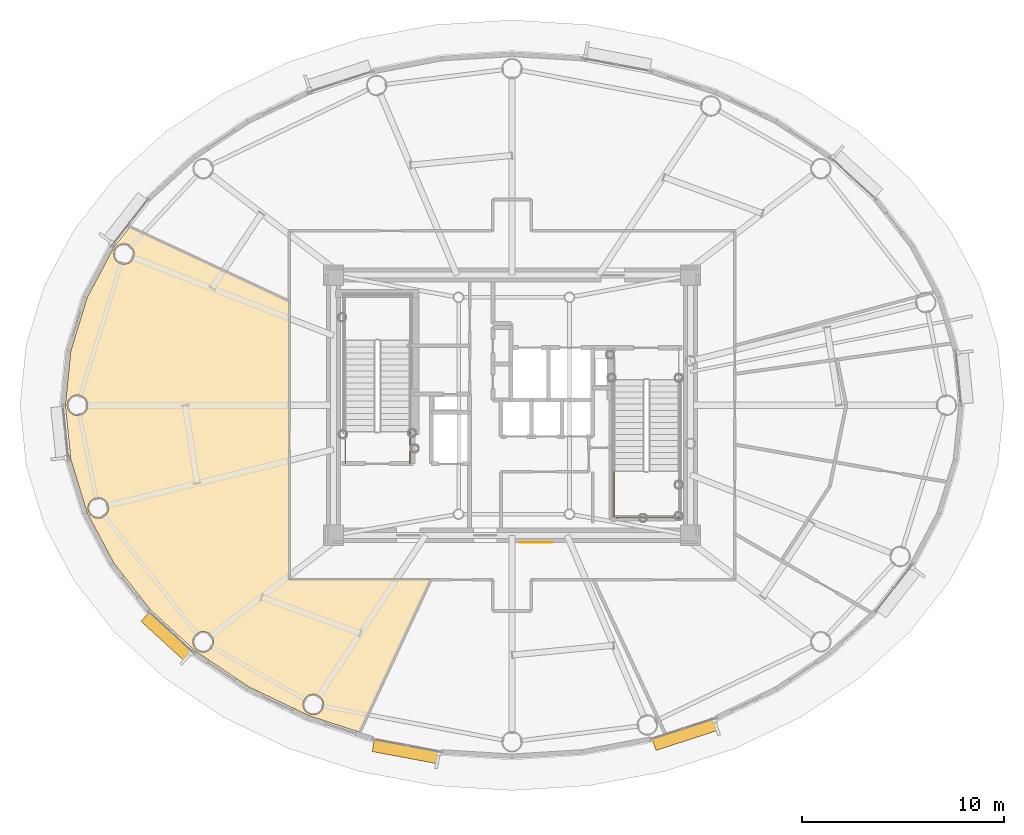
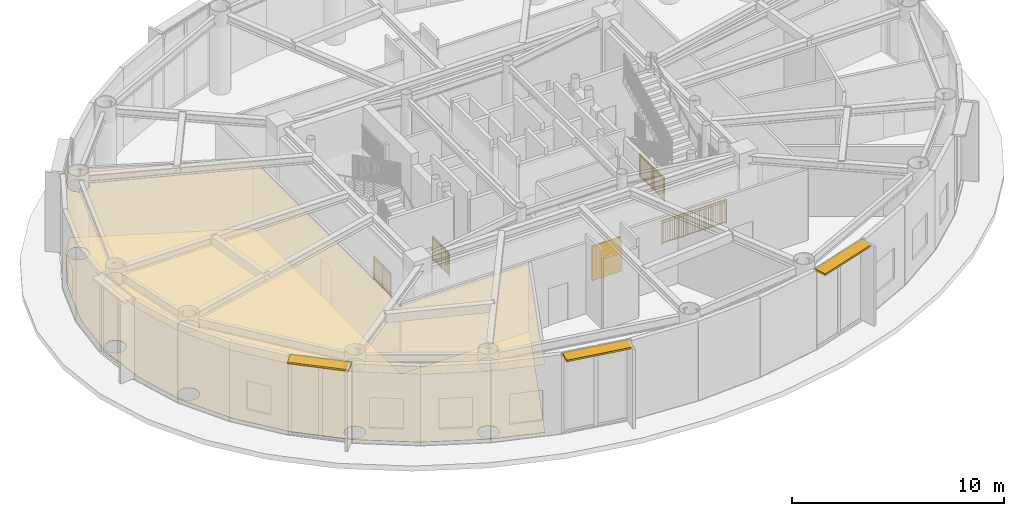
# One storey, part 26 of 32: 4 railings, 3 coverings, 3 shading devices.
"""IFC4 building model written with IfcOpenShell, lengths in metres."""

from ifc_helpers import new_model, si_unit, direction, frame, origin, origin_2d, place, context, subcontext, project, spatial, polyline, rectangle, outline, extrude, source, transform, mapped, material, layer, layer_set, type_object, element, save


model = new_model("IFC4")

# Units and contexts
model_context = context("Model", 3, precision=1e-05, world=origin(), true_north=direction((0.0, 1.0)))
body_context = subcontext(model_context, "Body", "Model", "MODEL_VIEW")
ifc_project = project(units=[si_unit("LENGTHUNIT", "METRE"), si_unit("AREAUNIT", "SQUARE_METRE"), si_unit("VOLUMEUNIT", "CUBIC_METRE"), si_unit("PLANEANGLEUNIT", "RADIAN"), si_unit("MASSUNIT", "GRAM", prefix="KILO")], contexts=[model_context])

# Site, building, storey
site_placement = place(None, origin())
site = spatial("IfcSite", under=ifc_project, at=site_placement, CompositionType="ELEMENT")
building_placement = place(site_placement, origin())
building = spatial("IfcBuilding", under=site, at=building_placement, Name="Linh Dai School and Residence Tower", CompositionType="ELEMENT")
storey_placement = place(building_placement, frame((0.0, 0.0, 268.199951171875)))
storey = spatial("IfcBuildingStorey", under=building, at=storey_placement, Name="L66", CompositionType="ELEMENT", Elevation=268.199951171875)

# Coverings
ifc_material_1 = material(Name="Mineral Fibre Acoustic Suspended Ceiling", Category="masonry")
ifc_layer_1 = layer(ifc_material_1, 0.02001953125)
ifc_layer_set_1 = layer_set([ifc_layer_1], Name="Mineral Fibre Acoustic Suspended Ceiling")
covering_type_1 = type_object("IfcCoveringType", Name="COV-CEIL-AC-20", PredefinedType="CEILING", material=ifc_layer_set_1)
covering_1_placement = place(storey_placement, frame((0.0, 0.0, 3.900146484375)))
element("IfcCovering", 1, at=covering_1_placement, inside=storey, type_object=covering_type_1, Name="L66 High-Zone Han River Viewing Salon Suspended Ceiling", PredefinedType="CEILING", context=body_context, shape_type="SweptSolid", body=[
    extrude(outline(polyline([(22.957275390625, 13.027099609375), (20.31494140625, 14.794189453125), (18.061279296875, 16.8603515625), (16.2509765625, 19.17333984375), (14.92724609375, 21.67578125), (14.120849609375, 24.3056640625), (13.85009765625, 27.0), (14.120849609375, 29.6943359375), (14.92724609375, 32.32421875), (16.2509765625, 34.82666015625), (17.043701171875, 35.839599609375), (24.949951171875, 32.152587890625), (24.949951171875, 18.35009765625), (31.96630859375, 18.35009765625), (28.440185546875, 10.78759765625), (25.92333984375, 11.60400390625), (22.957275390625, 13.027099609375)]), holes=[polyline([(26.589111328125, 11.9052734375), (26.64013671875, 12.02880859375), (26.65771484375, 12.1611328125), (26.64013671875, 12.293701171875), (26.589111328125, 12.417236328125), (26.507568359375, 12.523193359375), (26.401611328125, 12.6044921875), (26.278076171875, 12.65576171875), (26.1455078125, 12.673095703125), (26.01318359375, 12.65576171875), (25.8896484375, 12.6044921875), (25.78369140625, 12.523193359375), (25.7021484375, 12.417236328125), (25.65087890625, 12.293701171875), (25.633544921875, 12.1611328125), (25.65087890625, 12.02880859375), (25.7021484375, 11.9052734375), (25.78369140625, 11.79931640625), (25.8896484375, 11.7177734375), (26.01318359375, 11.666748046875), (26.1455078125, 11.649169921875), (26.278076171875, 11.666748046875), (26.401611328125, 11.7177734375), (26.507568359375, 11.79931640625), (26.589111328125, 11.9052734375)]), polyline([(21.12841796875, 15.010498046875), (21.179443359375, 15.134033203125), (21.19677734375, 15.2666015625), (21.179443359375, 15.399169921875), (21.12841796875, 15.522705078125), (21.046875, 15.628662109375), (20.94091796875, 15.7099609375), (20.8173828125, 15.760986328125), (20.684814453125, 15.778564453125), (20.55224609375, 15.760986328125), (20.4287109375, 15.7099609375), (20.32275390625, 15.628662109375), (20.241455078125, 15.522705078125), (20.190185546875, 15.399169921875), (20.1728515625, 15.2666015625), (20.190185546875, 15.134033203125), (20.241455078125, 15.010498046875), (20.32275390625, 14.904541015625), (20.4287109375, 14.8232421875), (20.55224609375, 14.77197265625), (20.684814453125, 14.754638671875), (20.8173828125, 14.77197265625), (20.94091796875, 14.8232421875), (21.046875, 14.904541015625), (21.12841796875, 15.010498046875)]), polyline([(17.197265625, 34.243408203125), (17.24853515625, 34.366943359375), (17.265869140625, 34.49951171875), (17.24853515625, 34.6318359375), (17.197265625, 34.75537109375), (17.115966796875, 34.861328125), (17.010009765625, 34.94287109375), (16.886474609375, 34.993896484375), (16.75390625, 35.011474609375), (16.621337890625, 34.993896484375), (16.497802734375, 34.94287109375), (16.391845703125, 34.861328125), (16.310546875, 34.75537109375), (16.25927734375, 34.6318359375), (16.241943359375, 34.49951171875), (16.25927734375, 34.366943359375), (16.310546875, 34.243408203125), (16.391845703125, 34.137451171875), (16.497802734375, 34.055908203125), (16.621337890625, 34.0048828125), (16.75390625, 33.9873046875), (16.886474609375, 34.0048828125), (17.010009765625, 34.055908203125), (17.115966796875, 34.137451171875), (17.197265625, 34.243408203125)]), polyline([(15.843505859375, 21.543701171875), (15.9248046875, 21.649658203125), (15.97607421875, 21.773193359375), (15.993408203125, 21.905517578125), (15.97607421875, 22.0380859375), (15.9248046875, 22.16162109375), (15.843505859375, 22.267578125), (15.7373046875, 22.34912109375), (15.614013671875, 22.400146484375), (15.4814453125, 22.41748046875), (15.348876953125, 22.400146484375), (15.225341796875, 22.34912109375), (15.119384765625, 22.267578125), (15.0380859375, 22.16162109375), (14.98681640625, 22.0380859375), (14.969482421875, 21.905517578125), (14.98681640625, 21.773193359375), (15.0380859375, 21.649658203125), (15.119384765625, 21.543701171875), (15.225341796875, 21.462158203125), (15.348876953125, 21.4111328125), (15.4814453125, 21.3935546875), (15.614013671875, 21.4111328125), (15.7373046875, 21.462158203125), (15.843505859375, 21.543701171875)]), polyline([(14.81201171875, 26.637939453125), (14.893310546875, 26.743896484375), (14.944580078125, 26.867431640625), (14.9619140625, 27.0), (14.944580078125, 27.132568359375), (14.893310546875, 27.256103515625), (14.81201171875, 27.362060546875), (14.7060546875, 27.443359375), (14.58251953125, 27.49462890625), (14.449951171875, 27.511962890625), (14.3173828125, 27.49462890625), (14.194091796875, 27.443359375), (14.087890625, 27.362060546875), (14.006591796875, 27.256103515625), (13.955322265625, 27.132568359375), (13.93798828125, 27.0), (13.955322265625, 26.867431640625), (14.006591796875, 26.743896484375), (14.087890625, 26.637939453125), (14.194091796875, 26.556640625), (14.3173828125, 26.50537109375), (14.449951171875, 26.488037109375), (14.58251953125, 26.50537109375), (14.7060546875, 26.556640625), (14.81201171875, 26.637939453125)])]), origin(), (0.0, 0.0, 1.0), 0.02001953125),
])
ifc_material_2 = material(Name="Polished Terrazzo Floor Finish", Category="masonry")
ifc_layer_2 = layer(ifc_material_2, 0.02490234375)
ifc_layer_set_2 = layer_set([ifc_layer_2], Name="Polished Terrazzo Floor Finish")
covering_type_2 = type_object("IfcCoveringType", Name="COV-FLR-TRZ-25", PredefinedType="FLOORING", material=ifc_layer_set_2)
covering_2_placement = place(storey_placement, origin())
element("IfcCovering", 2, at=covering_2_placement, inside=storey, type_object=covering_type_2, Name="L66 High-Zone Han River Viewing Salon Floor Finish", PredefinedType="FLOORING", context=body_context, shape_type="SweptSolid", body=[
    extrude(outline(polyline([(22.957275390625, 13.027099609375), (20.31494140625, 14.794189453125), (18.061279296875, 16.8603515625), (16.2509765625, 19.17333984375), (14.92724609375, 21.67578125), (14.120849609375, 24.3056640625), (13.85009765625, 27.0), (14.120849609375, 29.6943359375), (14.92724609375, 32.32421875), (16.2509765625, 34.82666015625), (17.043701171875, 35.839599609375), (24.949951171875, 32.152587890625), (24.949951171875, 18.35009765625), (31.96630859375, 18.35009765625), (28.440185546875, 10.78759765625), (25.92333984375, 11.60400390625), (22.957275390625, 13.027099609375)]), holes=[polyline([(26.589111328125, 11.9052734375), (26.64013671875, 12.02880859375), (26.65771484375, 12.1611328125), (26.64013671875, 12.293701171875), (26.589111328125, 12.417236328125), (26.507568359375, 12.523193359375), (26.401611328125, 12.6044921875), (26.278076171875, 12.65576171875), (26.1455078125, 12.673095703125), (26.01318359375, 12.65576171875), (25.8896484375, 12.6044921875), (25.78369140625, 12.523193359375), (25.7021484375, 12.417236328125), (25.65087890625, 12.293701171875), (25.633544921875, 12.1611328125), (25.65087890625, 12.02880859375), (25.7021484375, 11.9052734375), (25.78369140625, 11.79931640625), (25.8896484375, 11.7177734375), (26.01318359375, 11.666748046875), (26.1455078125, 11.649169921875), (26.278076171875, 11.666748046875), (26.401611328125, 11.7177734375), (26.507568359375, 11.79931640625), (26.589111328125, 11.9052734375)]), polyline([(21.12841796875, 15.010498046875), (21.179443359375, 15.134033203125), (21.19677734375, 15.2666015625), (21.179443359375, 15.399169921875), (21.12841796875, 15.522705078125), (21.046875, 15.628662109375), (20.94091796875, 15.7099609375), (20.8173828125, 15.760986328125), (20.684814453125, 15.778564453125), (20.55224609375, 15.760986328125), (20.4287109375, 15.7099609375), (20.32275390625, 15.628662109375), (20.241455078125, 15.522705078125), (20.190185546875, 15.399169921875), (20.1728515625, 15.2666015625), (20.190185546875, 15.134033203125), (20.241455078125, 15.010498046875), (20.32275390625, 14.904541015625), (20.4287109375, 14.8232421875), (20.55224609375, 14.77197265625), (20.684814453125, 14.754638671875), (20.8173828125, 14.77197265625), (20.94091796875, 14.8232421875), (21.046875, 14.904541015625), (21.12841796875, 15.010498046875)]), polyline([(17.197265625, 34.243408203125), (17.24853515625, 34.366943359375), (17.265869140625, 34.49951171875), (17.24853515625, 34.6318359375), (17.197265625, 34.75537109375), (17.115966796875, 34.861328125), (17.010009765625, 34.94287109375), (16.886474609375, 34.993896484375), (16.75390625, 35.011474609375), (16.621337890625, 34.993896484375), (16.497802734375, 34.94287109375), (16.391845703125, 34.861328125), (16.310546875, 34.75537109375), (16.25927734375, 34.6318359375), (16.241943359375, 34.49951171875), (16.25927734375, 34.366943359375), (16.310546875, 34.243408203125), (16.391845703125, 34.137451171875), (16.497802734375, 34.055908203125), (16.621337890625, 34.0048828125), (16.75390625, 33.9873046875), (16.886474609375, 34.0048828125), (17.010009765625, 34.055908203125), (17.115966796875, 34.137451171875), (17.197265625, 34.243408203125)]), polyline([(15.843505859375, 21.543701171875), (15.9248046875, 21.649658203125), (15.97607421875, 21.773193359375), (15.993408203125, 21.905517578125), (15.97607421875, 22.0380859375), (15.9248046875, 22.16162109375), (15.843505859375, 22.267578125), (15.7373046875, 22.34912109375), (15.614013671875, 22.400146484375), (15.4814453125, 22.41748046875), (15.348876953125, 22.400146484375), (15.225341796875, 22.34912109375), (15.119384765625, 22.267578125), (15.0380859375, 22.16162109375), (14.98681640625, 22.0380859375), (14.969482421875, 21.905517578125), (14.98681640625, 21.773193359375), (15.0380859375, 21.649658203125), (15.119384765625, 21.543701171875), (15.225341796875, 21.462158203125), (15.348876953125, 21.4111328125), (15.4814453125, 21.3935546875), (15.614013671875, 21.4111328125), (15.7373046875, 21.462158203125), (15.843505859375, 21.543701171875)]), polyline([(14.81201171875, 26.637939453125), (14.893310546875, 26.743896484375), (14.944580078125, 26.867431640625), (14.9619140625, 27.0), (14.944580078125, 27.132568359375), (14.893310546875, 27.256103515625), (14.81201171875, 27.362060546875), (14.7060546875, 27.443359375), (14.58251953125, 27.49462890625), (14.449951171875, 27.511962890625), (14.3173828125, 27.49462890625), (14.194091796875, 27.443359375), (14.087890625, 27.362060546875), (14.006591796875, 27.256103515625), (13.955322265625, 27.132568359375), (13.93798828125, 27.0), (13.955322265625, 26.867431640625), (14.006591796875, 26.743896484375), (14.087890625, 26.637939453125), (14.194091796875, 26.556640625), (14.3173828125, 26.50537109375), (14.449951171875, 26.488037109375), (14.58251953125, 26.50537109375), (14.7060546875, 26.556640625), (14.81201171875, 26.637939453125)])]), origin(), (0.0, 0.0, 1.0), 0.02001953125),
])

# Shading devices
ifc_material_3 = material(Name="Terracotta Ceramic Sunshade", Category="masonry")
ifc_layer_3 = layer(ifc_material_3, 0.10009765625)
ifc_layer_set_3 = layer_set([ifc_layer_3], Name="Terracotta Ceramic Sunshade")
shading_device_type = type_object("IfcShadingDeviceType", Name="SHD-TC-650", PredefinedType="USERDEFINED", material=ifc_layer_set_3)
shared_shape_1 = source(origin(), body_context, "Body", "SweptSolid", [
    extrude(rectangle(XDim=2.9541015625, YDim=0.64990234375, at=origin_2d()), origin(), (0.0, 0.0, 1.0), 0.10009765625),
])
shading_device_1_placement = place(storey_placement, frame((18.9111328125, 15.525390625, 4.429931640625), z_axis=(0.0, 0.0, 1.0), x_axis=(-0.737104227651, 0.675779074535, 0.0)))
element("IfcShadingDevice", 3, at=shading_device_1_placement, inside=storey, type_object=shading_device_type, Name="L66 Terracotta Horizontal Sunshade Band 25", ObjectType="SUNSHADE", PredefinedType="USERDEFINED", context=body_context, shape_type="MappedRepresentation", body=[
    mapped(shared_shape_1, transform((0.0, 0.0, 0.0), x_axis=(1.0, 0.0, 0.0), y_axis=(0.0, 1.0, 0.0), z_axis=(0.0, 0.0, 1.0), scale=1.0)),
])
shared_shape_2 = source(origin(), body_context, "Body", "SweptSolid", [
    extrude(rectangle(XDim=3.323486328125, YDim=0.64990234375, at=origin_2d()), origin(), (0.0, 0.0, 1.0), 0.10009765625),
])
shading_device_2_placement = place(storey_placement, frame((30.75732421875, 9.839599609375, 4.429931640625), z_axis=(0.0, 0.0, 1.0), x_axis=(-0.982785325002, 0.184751197452, 0.0)))
element("IfcShadingDevice", 4, at=shading_device_2_placement, inside=storey, type_object=shading_device_type, Name="L66 Terracotta Horizontal Sunshade Band 29", ObjectType="SUNSHADE", PredefinedType="USERDEFINED", context=body_context, shape_type="MappedRepresentation", body=[
    mapped(shared_shape_2, transform((0.0, 0.0, 0.0), x_axis=(1.0, 0.0, 0.0), y_axis=(0.0, 1.0, 0.0), z_axis=(0.0, 0.0, 1.0), scale=1.0)),
])
shared_shape_3 = source(origin(), body_context, "Body", "SweptSolid", [
    extrude(rectangle(XDim=3.26171875, YDim=0.64990234375, at=origin_2d()), origin(), (0.0, 0.0, 1.0), 0.10009765625),
])
shading_device_3_placement = place(storey_placement, frame((44.594970703125, 10.692626953125, 4.429931640625), z_axis=(0.0, 0.0, 1.0), x_axis=(-0.951218243545, -0.308518805176, 0.0)))
element("IfcShadingDevice", 5, at=shading_device_3_placement, inside=storey, type_object=shading_device_type, Name="L66 Terracotta Horizontal Sunshade Band 33", ObjectType="SUNSHADE", PredefinedType="USERDEFINED", context=body_context, shape_type="MappedRepresentation", body=[
    mapped(shared_shape_3, transform((0.0, 0.0, 0.0), x_axis=(1.0, 0.0, 0.0), y_axis=(0.0, 1.0, 0.0), z_axis=(0.0, 0.0, 1.0), scale=1.0)),
])

# Railings
ifc_material_4 = material(Name="Structural Steel S355JR", Category="steel")
railing_type = type_object("IfcRailingType", Name="RL-ST-GUARD-1400", PredefinedType="GUARDRAIL", material=ifc_material_4)
shared_shape_4 = source(origin(), body_context, "Body", "SweptSolid", [
    extrude(rectangle(XDim=0.048095703125, YDim=0.048095703125, at=origin_2d()), frame((0.0, 0.0, 1.3759765625), z_axis=(0.0, 1.0, 0.0), x_axis=(-1.0, 0.0, 0.0)), (0.0, 0.0, 1.0), 1.599853515625),
    extrude(rectangle(XDim=0.048095703125, YDim=0.048095703125, at=origin_2d()), frame((0.0, 0.0, 0.10009765625), z_axis=(0.0, 1.0, 0.0), x_axis=(-1.0, 0.0, 0.0)), (0.0, 0.0, 1.0), 1.599853515625),
    extrude(rectangle(XDim=0.030029296875, YDim=0.030029296875, at=origin_2d()), frame((0.0, 0.0, 1.239990234375), z_axis=(0.0, 1.0, 0.0), x_axis=(-1.0, 0.0, 0.0)), (0.0, 0.0, 1.0), 1.599853515625),
    extrude(rectangle(XDim=0.02001953125, YDim=0.02001953125, at=origin_2d()), frame((0.0, 0.093994140625, 0.10009765625)), (0.0, 0.0, 1.0), 1.251708984375),
    extrude(rectangle(XDim=0.02001953125, YDim=0.02001953125, at=origin_2d()), frame((0.0, 0.188232421875, 0.10009765625)), (0.0, 0.0, 1.0), 1.251708984375),
    extrude(rectangle(XDim=0.02001953125, YDim=0.02001953125, at=origin_2d()), frame((0.0, 0.2822265625, 0.10009765625)), (0.0, 0.0, 1.0), 1.251708984375),
    extrude(rectangle(XDim=0.02001953125, YDim=0.02001953125, at=origin_2d()), frame((0.0, 0.37646484375, 0.10009765625)), (0.0, 0.0, 1.0), 1.251708984375),
    extrude(rectangle(XDim=0.02001953125, YDim=0.02001953125, at=origin_2d()), frame((0.0, 0.470458984375, 0.10009765625)), (0.0, 0.0, 1.0), 1.251708984375),
    extrude(rectangle(XDim=0.02001953125, YDim=0.02001953125, at=origin_2d()), frame((0.0, 0.564697265625, 0.10009765625)), (0.0, 0.0, 1.0), 1.251708984375),
    extrude(rectangle(XDim=0.02001953125, YDim=0.02001953125, at=origin_2d()), frame((0.0, 0.65869140625, 0.10009765625)), (0.0, 0.0, 1.0), 1.251708984375),
    extrude(rectangle(XDim=0.02001953125, YDim=0.02001953125, at=origin_2d()), frame((0.0, 0.7529296875, 0.10009765625)), (0.0, 0.0, 1.0), 1.251708984375),
    extrude(rectangle(XDim=0.02001953125, YDim=0.02001953125, at=origin_2d()), frame((0.0, 0.846923828125, 0.10009765625)), (0.0, 0.0, 1.0), 1.251708984375),
    extrude(rectangle(XDim=0.02001953125, YDim=0.02001953125, at=origin_2d()), frame((0.0, 0.941162109375, 0.10009765625)), (0.0, 0.0, 1.0), 1.251708984375),
    extrude(rectangle(XDim=0.02001953125, YDim=0.02001953125, at=origin_2d()), frame((0.0, 1.03515625, 0.10009765625)), (0.0, 0.0, 1.0), 1.251708984375),
    extrude(rectangle(XDim=0.02001953125, YDim=0.02001953125, at=origin_2d()), frame((0.0, 1.12939453125, 0.10009765625)), (0.0, 0.0, 1.0), 1.251708984375),
    extrude(rectangle(XDim=0.02001953125, YDim=0.02001953125, at=origin_2d()), frame((0.0, 1.223388671875, 0.10009765625)), (0.0, 0.0, 1.0), 1.251708984375),
    extrude(rectangle(XDim=0.02001953125, YDim=0.02001953125, at=origin_2d()), frame((0.0, 1.317626953125, 0.10009765625)), (0.0, 0.0, 1.0), 1.251708984375),
    extrude(rectangle(XDim=0.02001953125, YDim=0.02001953125, at=origin_2d()), frame((0.0, 1.41162109375, 0.10009765625)), (0.0, 0.0, 1.0), 1.251708984375),
    extrude(rectangle(XDim=0.02001953125, YDim=0.02001953125, at=origin_2d()), frame((0.0, 1.505859375, 0.10009765625)), (0.0, 0.0, 1.0), 1.251708984375),
    extrude(rectangle(XDim=0.0419921875, YDim=0.0419921875, at=origin_2d()), origin(), (0.0, 0.0, 1.0), 1.3759765625),
    extrude(rectangle(XDim=0.0419921875, YDim=0.0419921875, at=origin_2d()), frame((0.0, 0.7998046875, 0.0)), (0.0, 0.0, 1.0), 1.3759765625),
    extrude(rectangle(XDim=0.0419921875, YDim=0.0419921875, at=origin_2d()), frame((0.0, 1.599853515625, 0.0)), (0.0, 0.0, 1.0), 1.3759765625),
])
for number, where, name in (
    (6, (30.929931640625, 24.10009765625, 0.0), "L66 ST1 stair guard 8"),
    (7, (27.72998046875, 24.10009765625, 0.0), "L66 ST1 stair guard 9"),
):
    element("IfcRailing", number, at=place(storey_placement, frame(where)), inside=storey, type_object=railing_type, Name=name, PredefinedType="GUARDRAIL", context=body_context, shape_type="MappedRepresentation", body=[
        mapped(shared_shape_4, transform((0.0, 0.0, 0.0), x_axis=(1.0, 0.0, 0.0), y_axis=(0.0, 1.0, 0.0), z_axis=(0.0, 0.0, 1.0), scale=1.0)),
    ])
shared_shape_5 = source(origin(), body_context, "Body", "SweptSolid", [
    extrude(rectangle(XDim=0.048095703125, YDim=0.048095703125, at=origin_2d()), frame((0.0, 0.0, 1.3759765625), z_axis=(1.0, 0.0, 0.0), x_axis=(0.0, 1.0, 0.0)), (0.0, 0.0, 1.0), 3.5),
    extrude(rectangle(XDim=0.048095703125, YDim=0.048095703125, at=origin_2d()), frame((0.0, 0.0, 0.10009765625), z_axis=(1.0, 0.0, 0.0), x_axis=(0.0, 1.0, 0.0)), (0.0, 0.0, 1.0), 3.5),
    extrude(rectangle(XDim=0.030029296875, YDim=0.030029296875, at=origin_2d()), frame((0.0, 0.0, 1.239990234375), z_axis=(1.0, 0.0, 0.0), x_axis=(0.0, 1.0, 0.0)), (0.0, 0.0, 1.0), 3.5),
    extrude(rectangle(XDim=0.02001953125, YDim=0.02001953125, at=origin_2d()), frame((0.09716796875, 0.0, 0.10009765625)), (0.0, 0.0, 1.0), 1.251708984375),
    extrude(rectangle(XDim=0.02001953125, YDim=0.02001953125, at=origin_2d()), frame((0.1943359375, 0.0, 0.10009765625)), (0.0, 0.0, 1.0), 1.251708984375),
    extrude(rectangle(XDim=0.02001953125, YDim=0.02001953125, at=origin_2d()), frame((0.291748046875, 0.0, 0.10009765625)), (0.0, 0.0, 1.0), 1.251708984375),
    extrude(rectangle(XDim=0.02001953125, YDim=0.02001953125, at=origin_2d()), frame((0.388916015625, 0.0, 0.10009765625)), (0.0, 0.0, 1.0), 1.251708984375),
    extrude(rectangle(XDim=0.02001953125, YDim=0.02001953125, at=origin_2d()), frame((0.486083984375, 0.0, 0.10009765625)), (0.0, 0.0, 1.0), 1.251708984375),
    extrude(rectangle(XDim=0.02001953125, YDim=0.02001953125, at=origin_2d()), frame((0.583251953125, 0.0, 0.10009765625)), (0.0, 0.0, 1.0), 1.251708984375),
    extrude(rectangle(XDim=0.02001953125, YDim=0.02001953125, at=origin_2d()), frame((0.6806640625, 0.0, 0.10009765625)), (0.0, 0.0, 1.0), 1.251708984375),
    extrude(rectangle(XDim=0.02001953125, YDim=0.02001953125, at=origin_2d()), frame((0.77783203125, 0.0, 0.10009765625)), (0.0, 0.0, 1.0), 1.251708984375),
    extrude(rectangle(XDim=0.02001953125, YDim=0.02001953125, at=origin_2d()), frame((0.875, 0.0, 0.10009765625)), (0.0, 0.0, 1.0), 1.251708984375),
    extrude(rectangle(XDim=0.02001953125, YDim=0.02001953125, at=origin_2d()), frame((0.97216796875, 0.0, 0.10009765625)), (0.0, 0.0, 1.0), 1.251708984375),
    extrude(rectangle(XDim=0.02001953125, YDim=0.02001953125, at=origin_2d()), frame((1.0693359375, 0.0, 0.10009765625)), (0.0, 0.0, 1.0), 1.251708984375),
    extrude(rectangle(XDim=0.02001953125, YDim=0.02001953125, at=origin_2d()), frame((1.263916015625, 0.0, 0.10009765625)), (0.0, 0.0, 1.0), 1.251708984375),
    extrude(rectangle(XDim=0.02001953125, YDim=0.02001953125, at=origin_2d()), frame((1.361083984375, 0.0, 0.10009765625)), (0.0, 0.0, 1.0), 1.251708984375),
    extrude(rectangle(XDim=0.02001953125, YDim=0.02001953125, at=origin_2d()), frame((1.458251953125, 0.0, 0.10009765625)), (0.0, 0.0, 1.0), 1.251708984375),
    extrude(rectangle(XDim=0.02001953125, YDim=0.02001953125, at=origin_2d()), frame((1.5556640625, 0.0, 0.10009765625)), (0.0, 0.0, 1.0), 1.251708984375),
    extrude(rectangle(XDim=0.02001953125, YDim=0.02001953125, at=origin_2d()), frame((1.65283203125, 0.0, 0.10009765625)), (0.0, 0.0, 1.0), 1.251708984375),
    extrude(rectangle(XDim=0.02001953125, YDim=0.02001953125, at=origin_2d()), frame((1.75, 0.0, 0.10009765625)), (0.0, 0.0, 1.0), 1.251708984375),
    extrude(rectangle(XDim=0.02001953125, YDim=0.02001953125, at=origin_2d()), frame((1.84716796875, 0.0, 0.10009765625)), (0.0, 0.0, 1.0), 1.251708984375),
    extrude(rectangle(XDim=0.02001953125, YDim=0.02001953125, at=origin_2d()), frame((1.9443359375, 0.0, 0.10009765625)), (0.0, 0.0, 1.0), 1.251708984375),
    extrude(rectangle(XDim=0.02001953125, YDim=0.02001953125, at=origin_2d()), frame((2.041748046875, 0.0, 0.10009765625)), (0.0, 0.0, 1.0), 1.251708984375),
    extrude(rectangle(XDim=0.02001953125, YDim=0.02001953125, at=origin_2d()), frame((2.138916015625, 0.0, 0.10009765625)), (0.0, 0.0, 1.0), 1.251708984375),
    extrude(rectangle(XDim=0.02001953125, YDim=0.02001953125, at=origin_2d()), frame((2.236083984375, 0.0, 0.10009765625)), (0.0, 0.0, 1.0), 1.251708984375),
    extrude(rectangle(XDim=0.02001953125, YDim=0.02001953125, at=origin_2d()), frame((2.4306640625, 0.0, 0.10009765625)), (0.0, 0.0, 1.0), 1.251708984375),
    extrude(rectangle(XDim=0.02001953125, YDim=0.02001953125, at=origin_2d()), frame((2.52783203125, 0.0, 0.10009765625)), (0.0, 0.0, 1.0), 1.251708984375),
    extrude(rectangle(XDim=0.02001953125, YDim=0.02001953125, at=origin_2d()), frame((2.625, 0.0, 0.10009765625)), (0.0, 0.0, 1.0), 1.251708984375),
    extrude(rectangle(XDim=0.02001953125, YDim=0.02001953125, at=origin_2d()), frame((2.72216796875, 0.0, 0.10009765625)), (0.0, 0.0, 1.0), 1.251708984375),
    extrude(rectangle(XDim=0.02001953125, YDim=0.02001953125, at=origin_2d()), frame((2.8193359375, 0.0, 0.10009765625)), (0.0, 0.0, 1.0), 1.251708984375),
    extrude(rectangle(XDim=0.02001953125, YDim=0.02001953125, at=origin_2d()), frame((2.916748046875, 0.0, 0.10009765625)), (0.0, 0.0, 1.0), 1.251708984375),
    extrude(rectangle(XDim=0.02001953125, YDim=0.02001953125, at=origin_2d()), frame((3.013916015625, 0.0, 0.10009765625)), (0.0, 0.0, 1.0), 1.251708984375),
    extrude(rectangle(XDim=0.02001953125, YDim=0.02001953125, at=origin_2d()), frame((3.111083984375, 0.0, 0.10009765625)), (0.0, 0.0, 1.0), 1.251708984375),
    extrude(rectangle(XDim=0.02001953125, YDim=0.02001953125, at=origin_2d()), frame((3.208251953125, 0.0, 0.10009765625)), (0.0, 0.0, 1.0), 1.251708984375),
    extrude(rectangle(XDim=0.02001953125, YDim=0.02001953125, at=origin_2d()), frame((3.3056640625, 0.0, 0.10009765625)), (0.0, 0.0, 1.0), 1.251708984375),
    extrude(rectangle(XDim=0.02001953125, YDim=0.02001953125, at=origin_2d()), frame((3.40283203125, 0.0, 0.10009765625)), (0.0, 0.0, 1.0), 1.251708984375),
    extrude(rectangle(XDim=0.0419921875, YDim=0.0419921875, at=origin_2d()), origin(), (0.0, 0.0, 1.0), 1.3759765625),
    extrude(rectangle(XDim=0.0419921875, YDim=0.0419921875, at=origin_2d()), frame((1.166748046875, 0.0, 0.0)), (0.0, 0.0, 1.0), 1.3759765625),
    extrude(rectangle(XDim=0.0419921875, YDim=0.0419921875, at=origin_2d()), frame((2.333251953125, 0.0, 0.0)), (0.0, 0.0, 1.0), 1.3759765625),
    extrude(rectangle(XDim=0.0419921875, YDim=0.0419921875, at=origin_2d()), frame((3.5, 0.0, 0.0)), (0.0, 0.0, 1.0), 1.3759765625),
])
railing_1_placement = place(storey_placement, frame((40.919921875, 21.39990234375, 0.0)))
element("IfcRailing", 8, at=railing_1_placement, inside=storey, type_object=railing_type, Name="L66 ST2 stair guard 12", PredefinedType="GUARDRAIL", context=body_context, shape_type="MappedRepresentation", body=[
    mapped(shared_shape_5, transform((0.0, 0.0, 0.0), x_axis=(1.0, 0.0, 0.0), y_axis=(0.0, 1.0, 0.0), z_axis=(0.0, 0.0, 1.0), scale=1.0)),
])
shared_shape_6 = source(origin(), body_context, "Body", "SweptSolid", [
    extrude(rectangle(XDim=0.048095703125, YDim=0.048095703125, at=origin_2d()), frame((0.0, 0.0, 1.3759765625), z_axis=(0.0, -1.0, 0.0), x_axis=(1.0, 0.0, 0.0)), (0.0, 0.0, 1.0), 2.300048828125),
    extrude(rectangle(XDim=0.048095703125, YDim=0.048095703125, at=origin_2d()), frame((0.0, 0.0, 0.10009765625), z_axis=(0.0, -1.0, 0.0), x_axis=(1.0, 0.0, 0.0)), (0.0, 0.0, 1.0), 2.300048828125),
    extrude(rectangle(XDim=0.030029296875, YDim=0.030029296875, at=origin_2d()), frame((0.0, 0.0, 1.239990234375), z_axis=(0.0, -1.0, 0.0), x_axis=(1.0, 0.0, 0.0)), (0.0, 0.0, 1.0), 2.300048828125),
    extrude(rectangle(XDim=0.02001953125, YDim=0.02001953125, at=origin_2d()), frame((0.0, -0.095947265625, 0.10009765625)), (0.0, 0.0, 1.0), 1.251708984375),
    extrude(rectangle(XDim=0.02001953125, YDim=0.02001953125, at=origin_2d()), frame((0.0, -0.191650390625, 0.10009765625)), (0.0, 0.0, 1.0), 1.251708984375),
    extrude(rectangle(XDim=0.02001953125, YDim=0.02001953125, at=origin_2d()), frame((0.0, -0.28759765625, 0.10009765625)), (0.0, 0.0, 1.0), 1.251708984375),
    extrude(rectangle(XDim=0.02001953125, YDim=0.02001953125, at=origin_2d()), frame((0.0, -0.38330078125, 0.10009765625)), (0.0, 0.0, 1.0), 1.251708984375),
    extrude(rectangle(XDim=0.02001953125, YDim=0.02001953125, at=origin_2d()), frame((0.0, -0.479248046875, 0.10009765625)), (0.0, 0.0, 1.0), 1.251708984375),
    extrude(rectangle(XDim=0.02001953125, YDim=0.02001953125, at=origin_2d()), frame((0.0, -0.574951171875, 0.10009765625)), (0.0, 0.0, 1.0), 1.251708984375),
    extrude(rectangle(XDim=0.02001953125, YDim=0.02001953125, at=origin_2d()), frame((0.0, -0.6708984375, 0.10009765625)), (0.0, 0.0, 1.0), 1.251708984375),
    extrude(rectangle(XDim=0.02001953125, YDim=0.02001953125, at=origin_2d()), frame((0.0, -0.7666015625, 0.10009765625)), (0.0, 0.0, 1.0), 1.251708984375),
    extrude(rectangle(XDim=0.02001953125, YDim=0.02001953125, at=origin_2d()), frame((0.0, -0.862548828125, 0.10009765625)), (0.0, 0.0, 1.0), 1.251708984375),
    extrude(rectangle(XDim=0.02001953125, YDim=0.02001953125, at=origin_2d()), frame((0.0, -0.958251953125, 0.10009765625)), (0.0, 0.0, 1.0), 1.251708984375),
    extrude(rectangle(XDim=0.02001953125, YDim=0.02001953125, at=origin_2d()), frame((0.0, -1.05419921875, 0.10009765625)), (0.0, 0.0, 1.0), 1.251708984375),
    extrude(rectangle(XDim=0.02001953125, YDim=0.02001953125, at=origin_2d()), frame((0.0, -1.245849609375, 0.10009765625)), (0.0, 0.0, 1.0), 1.251708984375),
    extrude(rectangle(XDim=0.02001953125, YDim=0.02001953125, at=origin_2d()), frame((0.0, -1.341796875, 0.10009765625)), (0.0, 0.0, 1.0), 1.251708984375),
    extrude(rectangle(XDim=0.02001953125, YDim=0.02001953125, at=origin_2d()), frame((0.0, -1.4375, 0.10009765625)), (0.0, 0.0, 1.0), 1.251708984375),
    extrude(rectangle(XDim=0.02001953125, YDim=0.02001953125, at=origin_2d()), frame((0.0, -1.533447265625, 0.10009765625)), (0.0, 0.0, 1.0), 1.251708984375),
    extrude(rectangle(XDim=0.02001953125, YDim=0.02001953125, at=origin_2d()), frame((0.0, -1.629150390625, 0.10009765625)), (0.0, 0.0, 1.0), 1.251708984375),
    extrude(rectangle(XDim=0.02001953125, YDim=0.02001953125, at=origin_2d()), frame((0.0, -1.72509765625, 0.10009765625)), (0.0, 0.0, 1.0), 1.251708984375),
    extrude(rectangle(XDim=0.02001953125, YDim=0.02001953125, at=origin_2d()), frame((0.0, -1.82080078125, 0.10009765625)), (0.0, 0.0, 1.0), 1.251708984375),
    extrude(rectangle(XDim=0.02001953125, YDim=0.02001953125, at=origin_2d()), frame((0.0, -1.916748046875, 0.10009765625)), (0.0, 0.0, 1.0), 1.251708984375),
    extrude(rectangle(XDim=0.02001953125, YDim=0.02001953125, at=origin_2d()), frame((0.0, -2.012451171875, 0.10009765625)), (0.0, 0.0, 1.0), 1.251708984375),
    extrude(rectangle(XDim=0.02001953125, YDim=0.02001953125, at=origin_2d()), frame((0.0, -2.1083984375, 0.10009765625)), (0.0, 0.0, 1.0), 1.251708984375),
    extrude(rectangle(XDim=0.02001953125, YDim=0.02001953125, at=origin_2d()), frame((0.0, -2.2041015625, 0.10009765625)), (0.0, 0.0, 1.0), 1.251708984375),
    extrude(rectangle(XDim=0.0419921875, YDim=0.0419921875, at=origin_2d()), origin(), (0.0, 0.0, 1.0), 1.3759765625),
    extrude(rectangle(XDim=0.0419921875, YDim=0.0419921875, at=origin_2d()), frame((0.0, -1.14990234375, 0.0)), (0.0, 0.0, 1.0), 1.3759765625),
    extrude(rectangle(XDim=0.0419921875, YDim=0.0419921875, at=origin_2d()), frame((0.0, -2.300048828125, 0.0)), (0.0, 0.0, 1.0), 1.3759765625),
])
railing_2_placement = place(storey_placement, frame((41.070068359375, 23.75, 2.400146484375)))
element("IfcRailing", 9, at=railing_2_placement, inside=storey, type_object=railing_type, Name="L66 ST2 stair guard 3", PredefinedType="GUARDRAIL", context=body_context, shape_type="MappedRepresentation", body=[
    mapped(shared_shape_6, transform((0.0, 0.0, 0.0), x_axis=(1.0, 0.0, 0.0), y_axis=(0.0, 1.0, 0.0), z_axis=(0.0, 0.0, 1.0), scale=1.0)),
])

# Covering
ifc_material_5 = material(Name="Glazed Terracotta Acoustic Feature Cladding", Category="masonry")
ifc_layer_4 = layer(ifc_material_5, 0.030029296875)
ifc_layer_set_4 = layer_set([ifc_layer_4], Name="Glazed Terracotta Acoustic Feature Cladding")
covering_type_3 = type_object("IfcCoveringType", Name="COV-CLAD-TC-30", PredefinedType="CLADDING", material=ifc_layer_set_4)
shared_shape_7 = source(origin(), body_context, "Body", "SweptSolid", [
    extrude(rectangle(XDim=1.60009765625, YDim=0.030029296875, at=origin_2d()), origin(), (0.0, 0.0, 1.0), 2.0),
])
covering_3_placement = place(storey_placement, frame((37.199951171875, 20.18505859375, 0.25), z_axis=(0.0, 0.0, 1.0), x_axis=(1.0, 0.0, 0.0)))
element("IfcCovering", 10, at=covering_3_placement, inside=storey, type_object=covering_type_3, Name="L66 Core Lobby Terracotta Feature Cladding", PredefinedType="CLADDING", context=body_context, shape_type="MappedRepresentation", body=[
    mapped(shared_shape_7, transform((0.0, 0.0, 0.0), x_axis=(1.0, 0.0, 0.0), y_axis=(0.0, 1.0, 0.0), z_axis=(0.0, 0.0, 1.0), scale=1.0)),
])

save(model, "model.ifc")
